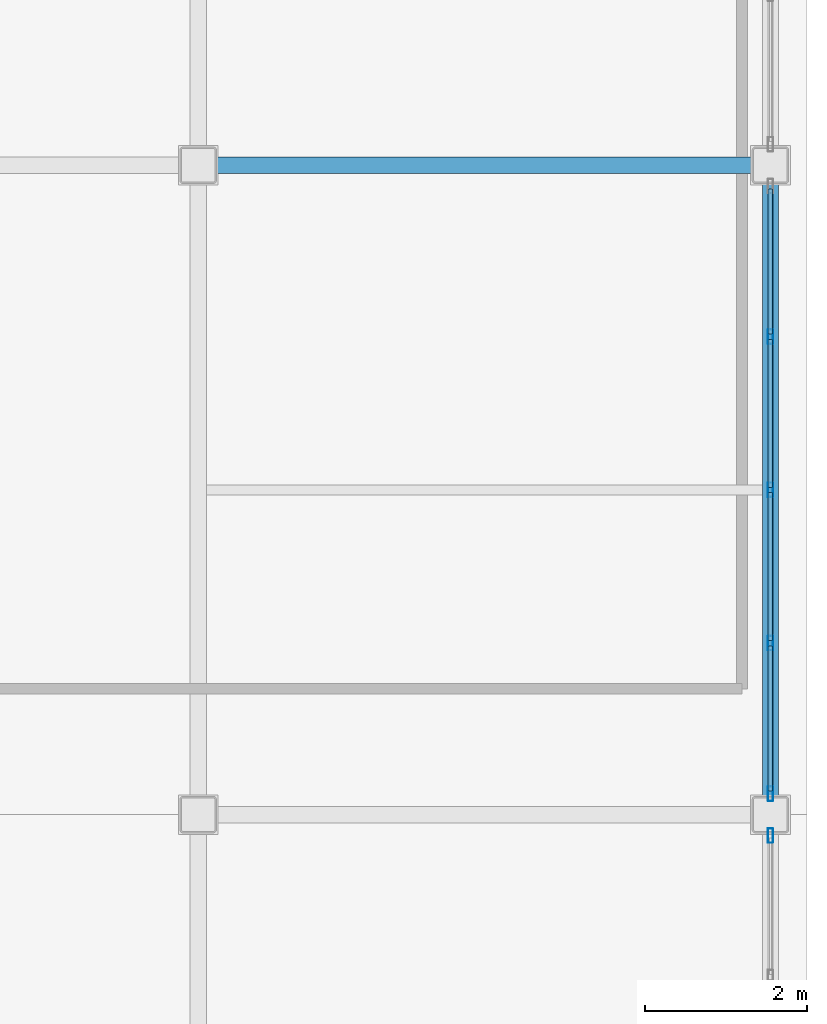
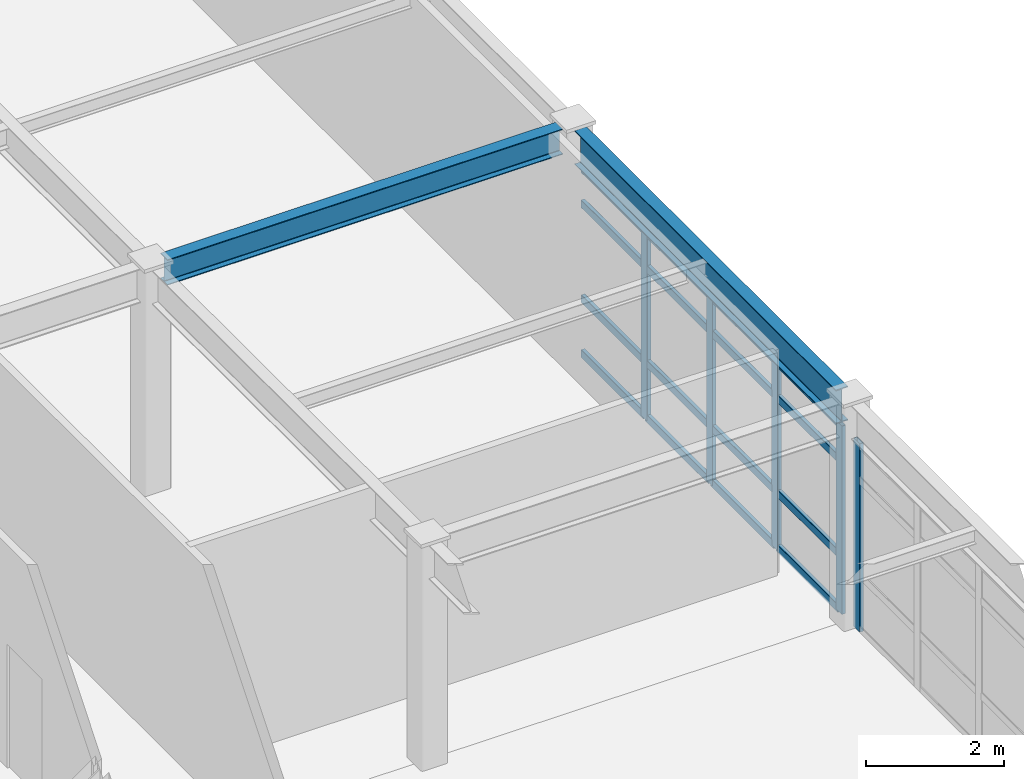
# One storey, part 20 of 34: 21 members, 2 beams, 2 elements without a shape of their own.
"""IFC4 building model written with IfcOpenShell, lengths in metres."""

from ifc_helpers import new_model, si_unit, direction, frame, origin, origin_2d, place, context, subcontext, project, spatial, hollow_rectangle, i_section, extrude, material, layer, layer_set, material_profile, profile_set, type_object, element, aggregate, save


model = new_model("IFC4")

# Units and contexts
model_context = context("Model", 3, precision=1e-05, world=origin(), true_north=direction((0.0, 1.0)))
body_context = subcontext(model_context, "Body", "Model", "MODEL_VIEW")
ifc_project = project(units=[si_unit("LENGTHUNIT", "METRE"), si_unit("AREAUNIT", "SQUARE_METRE"), si_unit("VOLUMEUNIT", "CUBIC_METRE"), si_unit("PLANEANGLEUNIT", "RADIAN"), si_unit("MASSUNIT", "GRAM", prefix="KILO")], contexts=[model_context])

# Site, building, storey
site_placement = place(None, origin())
site = spatial("IfcSite", under=ifc_project, at=site_placement, CompositionType="ELEMENT")
building_placement = place(site_placement, origin())
building = spatial("IfcBuilding", under=site, at=building_placement, Name="Kazehara Bluff Congress Hotel", CompositionType="ELEMENT")
storey_placement = place(building_placement, frame((0.0, 0.0, 46.199951171875)))
storey = spatial("IfcBuildingStorey", under=building, at=storey_placement, Name="L11", CompositionType="ELEMENT", Elevation=46.199951171875)

# Curtain wall, member
ifc_material_1 = material(Name="Anodised aluminium", Category="aluminium")
ifc_layer_1 = layer(ifc_material_1, 0.159912109375)
ifc_layer_set_1 = layer_set([ifc_layer_1], Name="Anodised aluminium")
curtain_wall_type_1 = type_object("IfcCurtainWallType", Name="TP-CW-86", PredefinedType="NOTDEFINED", material=ifc_layer_set_1)
curtain_wall_1_placement = place(storey_placement, origin())
curtain_wall_1 = element("IfcCurtainWall", 1, at=curtain_wall_1_placement, inside=storey, type_object=curtain_wall_type_1, Name="L11 curtain wall CW-86 CW-V5-L11-X16755-4112", PredefinedType="NOTDEFINED")
ifc_material_2 = material(Name="Anodised aluminium", Category="aluminium")
ifc_material_profile_1 = material_profile(ifc_material_2, hollow_rectangle(XDim=0.06494140625, YDim=0.179931640625, WallThickness=0.00390625, InnerFilletRadius=0.00390625, OuterFilletRadius=0.008056640625, at=origin_2d()))
ifc_profile_set_1 = profile_set([ifc_material_profile_1], Name="Anodised aluminium")
member_type_1 = type_object("IfcMemberType", Name="TP-CWM-02", PredefinedType="MULLION", material=ifc_profile_set_1)
member_1_placement = place(storey_placement, frame((167.550048828125, 48.1923828125, 0.0), z_axis=(0.0, 0.0, 1.0), x_axis=(-1.0, 0.0, 0.0)))
member_1 = element("IfcMember", 2, at=member_1_placement, type_object=member_type_1, Name="CW-86 mullion 5", PredefinedType="MULLION", context=body_context, shape_type="SweptSolid", body=[
    extrude(hollow_rectangle(XDim=0.06494140625, YDim=0.179931640625, WallThickness=0.00390625, InnerFilletRadius=0.00390625, OuterFilletRadius=0.008056640625, at=origin_2d()), origin(), (0.0, 0.0, 1.0), 3.324951171875),
])
aggregate(curtain_wall_1, [member_1])

# Curtain wall, members
ifc_material_3 = material(Name="Anodised aluminium", Category="aluminium")
ifc_layer_2 = layer(ifc_material_3, 0.159912109375)
ifc_layer_set_2 = layer_set([ifc_layer_2], Name="Anodised aluminium")
curtain_wall_type_2 = type_object("IfcCurtainWallType", Name="TP-CW-84", PredefinedType="NOTDEFINED", material=ifc_layer_set_2)
curtain_wall_2_placement = place(storey_placement, origin())
curtain_wall_2 = element("IfcCurtainWall", 3, at=curtain_wall_2_placement, inside=storey, type_object=curtain_wall_type_2, Name="L11 curtain wall CW-84 CW-V5-L11-X16755-4868", PredefinedType="NOTDEFINED")
member_2_placement = place(storey_placement, frame((167.550048828125, 48.70751953125, 0.0), z_axis=(0.0, 0.0, 1.0), x_axis=(-1.0, 0.0, 0.0)))
member_2 = element("IfcMember", 4, at=member_2_placement, type_object=member_type_1, Name="CW-84 mullion 1", PredefinedType="MULLION", context=body_context, shape_type="SweptSolid", body=[
    extrude(hollow_rectangle(XDim=0.06494140625, YDim=0.179931640625, WallThickness=0.00390625, InnerFilletRadius=0.00390625, OuterFilletRadius=0.008056640625, at=origin_2d()), origin(), (0.0, 0.0, 1.0), 3.324951171875),
])
member_3_placement = place(storey_placement, frame((167.550048828125, 50.5625, 0.0), z_axis=(0.0, 0.0, 1.0), x_axis=(-1.0, 0.0, 0.0)))
member_3 = element("IfcMember", 5, at=member_3_placement, type_object=member_type_1, Name="CW-84 mullion 2", PredefinedType="MULLION", context=body_context, shape_type="SweptSolid", body=[
    extrude(hollow_rectangle(XDim=0.06494140625, YDim=0.179931640625, WallThickness=0.00390625, InnerFilletRadius=0.00390625, OuterFilletRadius=0.008056640625, at=origin_2d()), origin(), (0.0, 0.0, 1.0), 3.324951171875),
])
member_4_placement = place(storey_placement, frame((167.550048828125, 52.449951171875, 0.0), z_axis=(0.0, 0.0, 1.0), x_axis=(-1.0, 0.0, 0.0)))
member_4 = element("IfcMember", 6, at=member_4_placement, type_object=member_type_1, Name="CW-84 mullion 3", PredefinedType="MULLION", context=body_context, shape_type="SweptSolid", body=[
    extrude(hollow_rectangle(XDim=0.06494140625, YDim=0.179931640625, WallThickness=0.00390625, InnerFilletRadius=0.00390625, OuterFilletRadius=0.008056640625, at=origin_2d()), origin(), (0.0, 0.0, 1.0), 3.324951171875),
])
member_5_placement = place(storey_placement, frame((167.550048828125, 54.33740234375, 0.0), z_axis=(0.0, 0.0, 1.0), x_axis=(-1.0, 0.0, 0.0)))
member_5 = element("IfcMember", 7, at=member_5_placement, type_object=member_type_1, Name="CW-84 mullion 4", PredefinedType="MULLION", context=body_context, shape_type="SweptSolid", body=[
    extrude(hollow_rectangle(XDim=0.06494140625, YDim=0.179931640625, WallThickness=0.00390625, InnerFilletRadius=0.00390625, OuterFilletRadius=0.008056640625, at=origin_2d()), origin(), (0.0, 0.0, 1.0), 3.324951171875),
])
ifc_material_4 = material(Name="Anodised aluminium", Category="aluminium")
ifc_material_profile_2 = material_profile(ifc_material_4, hollow_rectangle(XDim=0.06494140625, YDim=0.139892578125, WallThickness=0.00390625, InnerFilletRadius=0.00390625, OuterFilletRadius=0.008056640625, at=origin_2d()))
ifc_profile_set_2 = profile_set([ifc_material_profile_2], Name="Anodised aluminium")
member_type_2 = type_object("IfcMemberType", Name="TP-CWT-02", PredefinedType="USERDEFINED", material=ifc_profile_set_2)
member_6_placement = place(storey_placement, frame((167.550048828125, 48.739990234375, 0.032470703125), z_axis=(0.0, 1.0, 0.0), x_axis=(-1.0, 0.0, 0.0)))
member_6 = element("IfcMember", 8, at=member_6_placement, type_object=member_type_2, Name="CW-84 transom 1.1", ObjectType="TRANSOM", PredefinedType="USERDEFINED", context=body_context, shape_type="SweptSolid", body=[
    extrude(hollow_rectangle(XDim=0.06494140625, YDim=0.139892578125, WallThickness=0.00390625, InnerFilletRadius=0.00390625, OuterFilletRadius=0.008056640625, at=origin_2d()), origin(), (0.0, 0.0, 1.0), 1.7900390625),
])
member_7_placement = place(storey_placement, frame((167.550048828125, 48.739990234375, 1.0), z_axis=(0.0, 1.0, 0.0), x_axis=(-1.0, 0.0, 0.0)))
member_7 = element("IfcMember", 9, at=member_7_placement, type_object=member_type_2, Name="CW-84 transom 1.2", ObjectType="TRANSOM", PredefinedType="USERDEFINED", context=body_context, shape_type="SweptSolid", body=[
    extrude(hollow_rectangle(XDim=0.06494140625, YDim=0.139892578125, WallThickness=0.00390625, InnerFilletRadius=0.00390625, OuterFilletRadius=0.008056640625, at=origin_2d()), origin(), (0.0, 0.0, 1.0), 1.7900390625),
])
member_8_placement = place(storey_placement, frame((167.550048828125, 48.739990234375, 2.675048828125), z_axis=(0.0, 1.0, 0.0), x_axis=(-1.0, 0.0, 0.0)))
member_8 = element("IfcMember", 10, at=member_8_placement, type_object=member_type_2, Name="CW-84 transom 1.3", ObjectType="TRANSOM", PredefinedType="USERDEFINED", context=body_context, shape_type="SweptSolid", body=[
    extrude(hollow_rectangle(XDim=0.06494140625, YDim=0.139892578125, WallThickness=0.00390625, InnerFilletRadius=0.00390625, OuterFilletRadius=0.008056640625, at=origin_2d()), origin(), (0.0, 0.0, 1.0), 1.7900390625),
])
member_9_placement = place(storey_placement, frame((167.550048828125, 48.739990234375, 3.29248046875), z_axis=(0.0, 1.0, 0.0), x_axis=(-1.0, 0.0, 0.0)))
member_9 = element("IfcMember", 11, at=member_9_placement, type_object=member_type_2, Name="CW-84 transom 1.4", ObjectType="TRANSOM", PredefinedType="USERDEFINED", context=body_context, shape_type="SweptSolid", body=[
    extrude(hollow_rectangle(XDim=0.06494140625, YDim=0.139892578125, WallThickness=0.00390625, InnerFilletRadius=0.00390625, OuterFilletRadius=0.008056640625, at=origin_2d()), origin(), (0.0, 0.0, 1.0), 1.7900390625),
])
member_10_placement = place(storey_placement, frame((167.550048828125, 50.594970703125, 0.032470703125), z_axis=(0.0, 1.0, 0.0), x_axis=(-1.0, 0.0, 0.0)))
member_10 = element("IfcMember", 12, at=member_10_placement, type_object=member_type_2, Name="CW-84 transom 2.1", ObjectType="TRANSOM", PredefinedType="USERDEFINED", context=body_context, shape_type="SweptSolid", body=[
    extrude(hollow_rectangle(XDim=0.06494140625, YDim=0.139892578125, WallThickness=0.00390625, InnerFilletRadius=0.00390625, OuterFilletRadius=0.008056640625, at=origin_2d()), origin(), (0.0, 0.0, 1.0), 1.822509765625),
])
member_11_placement = place(storey_placement, frame((167.550048828125, 50.594970703125, 1.0), z_axis=(0.0, 1.0, 0.0), x_axis=(-1.0, 0.0, 0.0)))
member_11 = element("IfcMember", 13, at=member_11_placement, type_object=member_type_2, Name="CW-84 transom 2.2", ObjectType="TRANSOM", PredefinedType="USERDEFINED", context=body_context, shape_type="SweptSolid", body=[
    extrude(hollow_rectangle(XDim=0.06494140625, YDim=0.139892578125, WallThickness=0.00390625, InnerFilletRadius=0.00390625, OuterFilletRadius=0.008056640625, at=origin_2d()), origin(), (0.0, 0.0, 1.0), 1.822509765625),
])
member_12_placement = place(storey_placement, frame((167.550048828125, 50.594970703125, 2.675048828125), z_axis=(0.0, 1.0, 0.0), x_axis=(-1.0, 0.0, 0.0)))
member_12 = element("IfcMember", 14, at=member_12_placement, type_object=member_type_2, Name="CW-84 transom 2.3", ObjectType="TRANSOM", PredefinedType="USERDEFINED", context=body_context, shape_type="SweptSolid", body=[
    extrude(hollow_rectangle(XDim=0.06494140625, YDim=0.139892578125, WallThickness=0.00390625, InnerFilletRadius=0.00390625, OuterFilletRadius=0.008056640625, at=origin_2d()), origin(), (0.0, 0.0, 1.0), 1.822509765625),
])
member_13_placement = place(storey_placement, frame((167.550048828125, 50.594970703125, 3.29248046875), z_axis=(0.0, 1.0, 0.0), x_axis=(-1.0, 0.0, 0.0)))
member_13 = element("IfcMember", 15, at=member_13_placement, type_object=member_type_2, Name="CW-84 transom 2.4", ObjectType="TRANSOM", PredefinedType="USERDEFINED", context=body_context, shape_type="SweptSolid", body=[
    extrude(hollow_rectangle(XDim=0.06494140625, YDim=0.139892578125, WallThickness=0.00390625, InnerFilletRadius=0.00390625, OuterFilletRadius=0.008056640625, at=origin_2d()), origin(), (0.0, 0.0, 1.0), 1.822509765625),
])
member_14_placement = place(storey_placement, frame((167.550048828125, 52.482421875, 0.032470703125), z_axis=(0.0, 1.0, 0.0), x_axis=(-1.0, 0.0, 0.0)))
member_14 = element("IfcMember", 16, at=member_14_placement, type_object=member_type_2, Name="CW-84 transom 3.1", ObjectType="TRANSOM", PredefinedType="USERDEFINED", context=body_context, shape_type="SweptSolid", body=[
    extrude(hollow_rectangle(XDim=0.06494140625, YDim=0.139892578125, WallThickness=0.00390625, InnerFilletRadius=0.00390625, OuterFilletRadius=0.008056640625, at=origin_2d()), origin(), (0.0, 0.0, 1.0), 1.822509765625),
])
member_15_placement = place(storey_placement, frame((167.550048828125, 52.482421875, 1.0), z_axis=(0.0, 1.0, 0.0), x_axis=(-1.0, 0.0, 0.0)))
member_15 = element("IfcMember", 17, at=member_15_placement, type_object=member_type_2, Name="CW-84 transom 3.2", ObjectType="TRANSOM", PredefinedType="USERDEFINED", context=body_context, shape_type="SweptSolid", body=[
    extrude(hollow_rectangle(XDim=0.06494140625, YDim=0.139892578125, WallThickness=0.00390625, InnerFilletRadius=0.00390625, OuterFilletRadius=0.008056640625, at=origin_2d()), origin(), (0.0, 0.0, 1.0), 1.822509765625),
])
member_16_placement = place(storey_placement, frame((167.550048828125, 52.482421875, 2.675048828125), z_axis=(0.0, 1.0, 0.0), x_axis=(-1.0, 0.0, 0.0)))
member_16 = element("IfcMember", 18, at=member_16_placement, type_object=member_type_2, Name="CW-84 transom 3.3", ObjectType="TRANSOM", PredefinedType="USERDEFINED", context=body_context, shape_type="SweptSolid", body=[
    extrude(hollow_rectangle(XDim=0.06494140625, YDim=0.139892578125, WallThickness=0.00390625, InnerFilletRadius=0.00390625, OuterFilletRadius=0.008056640625, at=origin_2d()), origin(), (0.0, 0.0, 1.0), 1.822509765625),
])
member_17_placement = place(storey_placement, frame((167.550048828125, 52.482421875, 3.29248046875), z_axis=(0.0, 1.0, 0.0), x_axis=(-1.0, 0.0, 0.0)))
member_17 = element("IfcMember", 19, at=member_17_placement, type_object=member_type_2, Name="CW-84 transom 3.4", ObjectType="TRANSOM", PredefinedType="USERDEFINED", context=body_context, shape_type="SweptSolid", body=[
    extrude(hollow_rectangle(XDim=0.06494140625, YDim=0.139892578125, WallThickness=0.00390625, InnerFilletRadius=0.00390625, OuterFilletRadius=0.008056640625, at=origin_2d()), origin(), (0.0, 0.0, 1.0), 1.822509765625),
])
member_18_placement = place(storey_placement, frame((167.550048828125, 54.3701171875, 0.032470703125), z_axis=(0.0, 1.0, 0.0), x_axis=(-1.0, 0.0, 0.0)))
member_18 = element("IfcMember", 20, at=member_18_placement, type_object=member_type_2, Name="CW-84 transom 4.1", ObjectType="TRANSOM", PredefinedType="USERDEFINED", context=body_context, shape_type="SweptSolid", body=[
    extrude(hollow_rectangle(XDim=0.06494140625, YDim=0.139892578125, WallThickness=0.00390625, InnerFilletRadius=0.00390625, OuterFilletRadius=0.008056640625, at=origin_2d()), origin(), (0.0, 0.0, 1.0), 1.789794921875),
])
member_19_placement = place(storey_placement, frame((167.550048828125, 54.3701171875, 1.0), z_axis=(0.0, 1.0, 0.0), x_axis=(-1.0, 0.0, 0.0)))
member_19 = element("IfcMember", 21, at=member_19_placement, type_object=member_type_2, Name="CW-84 transom 4.2", ObjectType="TRANSOM", PredefinedType="USERDEFINED", context=body_context, shape_type="SweptSolid", body=[
    extrude(hollow_rectangle(XDim=0.06494140625, YDim=0.139892578125, WallThickness=0.00390625, InnerFilletRadius=0.00390625, OuterFilletRadius=0.008056640625, at=origin_2d()), origin(), (0.0, 0.0, 1.0), 1.789794921875),
])
member_20_placement = place(storey_placement, frame((167.550048828125, 54.3701171875, 2.675048828125), z_axis=(0.0, 1.0, 0.0), x_axis=(-1.0, 0.0, 0.0)))
member_20 = element("IfcMember", 22, at=member_20_placement, type_object=member_type_2, Name="CW-84 transom 4.3", ObjectType="TRANSOM", PredefinedType="USERDEFINED", context=body_context, shape_type="SweptSolid", body=[
    extrude(hollow_rectangle(XDim=0.06494140625, YDim=0.139892578125, WallThickness=0.00390625, InnerFilletRadius=0.00390625, OuterFilletRadius=0.008056640625, at=origin_2d()), origin(), (0.0, 0.0, 1.0), 1.789794921875),
])
member_21_placement = place(storey_placement, frame((167.550048828125, 54.3701171875, 3.29248046875), z_axis=(0.0, 1.0, 0.0), x_axis=(-1.0, 0.0, 0.0)))
member_21 = element("IfcMember", 23, at=member_21_placement, type_object=member_type_2, Name="CW-84 transom 4.4", ObjectType="TRANSOM", PredefinedType="USERDEFINED", context=body_context, shape_type="SweptSolid", body=[
    extrude(hollow_rectangle(XDim=0.06494140625, YDim=0.139892578125, WallThickness=0.00390625, InnerFilletRadius=0.00390625, OuterFilletRadius=0.008056640625, at=origin_2d()), origin(), (0.0, 0.0, 1.0), 1.789794921875),
])
aggregate(curtain_wall_2, [member_2, member_3, member_4, member_5, member_6, member_7, member_8, member_9, member_10, member_11, member_12, member_13, member_14, member_15, member_16, member_17, member_18, member_19, member_20, member_21])

# Beams
ifc_material_5 = material(Name="Steel SN490B", Category="steel")
ifc_material_profile_3 = material_profile(ifc_material_5, i_section(OverallWidth=0.199951171875, OverallDepth=0.60009765625, WebThickness=0.010986328125, FlangeThickness=0.01708984375, FilletRadius=0.012939453125, at=origin_2d()))
ifc_profile_set_3 = profile_set([ifc_material_profile_3], Name="Steel SN490B")
beam_type_1 = type_object("IfcBeamType", Name="TP-G-02", PredefinedType="BEAM", material=ifc_profile_set_3)
beam_1_placement = place(storey_placement, frame((167.550048828125, 48.675048828125, 3.650146484375), z_axis=(0.0, 1.0, 0.0), x_axis=(-1.0, 0.0, 0.0)))
element("IfcBeam", 24, at=beam_1_placement, inside=storey, type_object=beam_type_1, Name="L11 girder G-02 23", PredefinedType="BEAM", context=body_context, shape_type="SweptSolid", body=[
    extrude(i_section(OverallWidth=0.199951171875, OverallDepth=0.60009765625, WebThickness=0.010986328125, FlangeThickness=0.01708984375, FilletRadius=0.012939453125, at=origin_2d()), origin(), (0.0, 0.0, 1.0), 7.550048828125),
])
ifc_material_6 = material(Name="Steel SN490B", Category="steel")
ifc_material_profile_4 = material_profile(ifc_material_6, i_section(OverallWidth=0.199951171875, OverallDepth=0.449951171875, WebThickness=0.009033203125, FlangeThickness=0.013916015625, FilletRadius=0.012939453125, at=origin_2d()))
ifc_profile_set_4 = profile_set([ifc_material_profile_4], Name="Steel SN490B")
beam_type_2 = type_object("IfcBeamType", Name="TP-G-11", PredefinedType="BEAM", material=ifc_profile_set_4)
beam_2_placement = place(storey_placement, frame((160.72509765625, 56.449951171875, 3.72509765625), z_axis=(1.0, 0.0, 0.0), x_axis=(0.0, 1.0, 0.0)))
element("IfcBeam", 25, at=beam_2_placement, inside=storey, type_object=beam_type_2, Name="L11 girder G-11 40", PredefinedType="BEAM", context=body_context, shape_type="SweptSolid", body=[
    extrude(i_section(OverallWidth=0.199951171875, OverallDepth=0.449951171875, WebThickness=0.009033203125, FlangeThickness=0.013916015625, FilletRadius=0.012939453125, at=origin_2d()), origin(), (0.0, 0.0, 1.0), 6.599853515625),
])

save(model, "model.ifc")
